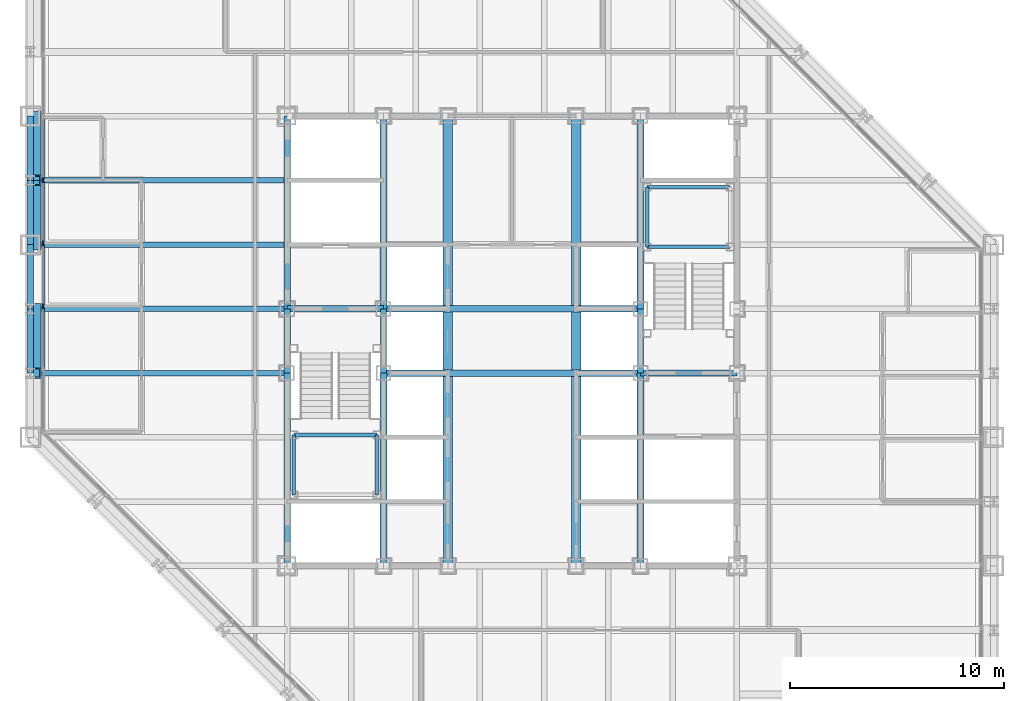
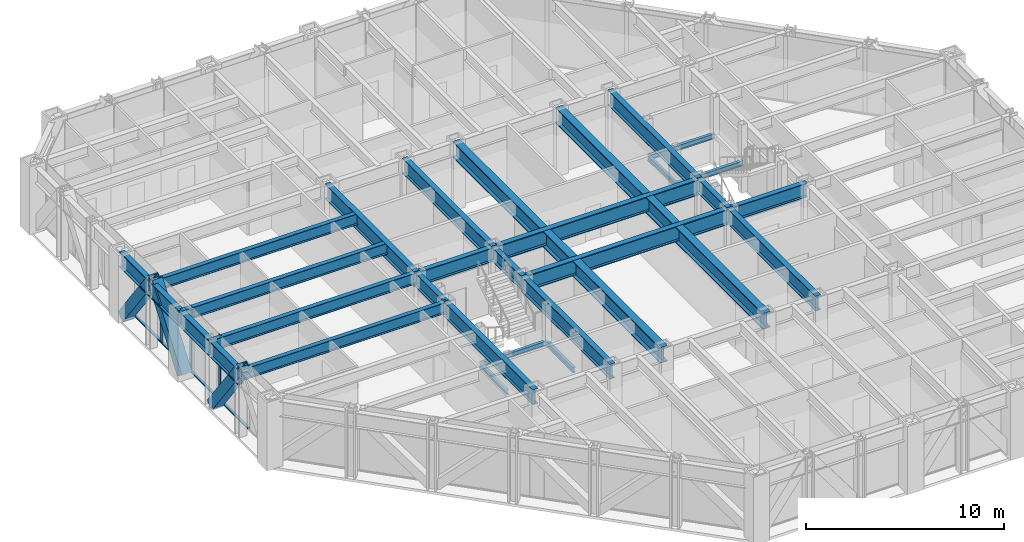
# One storey, part 5 of 16: 33 beams, 10 members, 1 element without a shape of its own.
"""IFC4 building model written with IfcOpenShell, lengths in metres."""

from ifc_helpers import new_model, si_unit, direction, frame, origin, origin_2d, place, context, subcontext, project, spatial, rectangle, hollow_rectangle, i_section, extrude, material, layer, layer_set, material_profile, profile_set, type_object, element, aggregate, save


model = new_model("IFC4")

# Units and contexts
model_context = context("Model", 3, precision=1e-05, world=origin(), true_north=direction((0.0, 1.0)))
body_context = subcontext(model_context, "Body", "Model", "MODEL_VIEW")
ifc_project = project(units=[si_unit("LENGTHUNIT", "METRE"), si_unit("AREAUNIT", "SQUARE_METRE"), si_unit("VOLUMEUNIT", "CUBIC_METRE"), si_unit("PLANEANGLEUNIT", "RADIAN"), si_unit("MASSUNIT", "GRAM", prefix="KILO")], contexts=[model_context])

# Site, building, storey
site_placement = place(None, origin())
site = spatial("IfcSite", under=ifc_project, at=site_placement, CompositionType="ELEMENT")
building_placement = place(site_placement, origin())
building = spatial("IfcBuilding", under=site, at=building_placement, Name="Chuquiago Exchange Tower", CompositionType="ELEMENT")
storey_placement = place(building_placement, frame((0.0, 0.0, 115.199951171875)))
storey = spatial("IfcBuildingStorey", under=building, at=storey_placement, Name="L24", CompositionType="ELEMENT", Elevation=115.199951171875)

# Beams
ifc_material_1 = material(Name="Steel ASTM A992", Category="steel")
ifc_material_profile_1 = material_profile(ifc_material_1, i_section(OverallWidth=0.25390625, OverallDepth=0.683349609375, WebThickness=0.012451171875, FlangeThickness=0.018798828125, at=origin_2d()), Name="W27X94")
ifc_profile_set_1 = profile_set([ifc_material_profile_1], Name="Steel ASTM A992")
beam_type_1 = type_object("IfcBeamType", Name="B1 W27X94", PredefinedType="BEAM", material=ifc_profile_set_1)
for number, where, z_axis, x_axis, name in (
    (1, (12.0, 21.0, 3.698486328125), (-1.0, 0.0, 0.0), (0.0, -1.0, 0.0), "FB-L25-infill-12_21--0_21-0"),
    (2, (12.0, 24.0, 3.698486328125), (-1.0, 0.0, 0.0), (0.0, -1.0, 0.0), "FB-L25-infill-12_24--0_24-0"),
    (3, (12.0, 27.0, 3.698486328125), (-1.0, 0.0, 0.0), (0.0, -1.0, 0.0), "FB-L25-infill-12_27--0_27-0"),
    (4, (12.0, 30.0, 3.698486328125), (-1.0, 0.0, 0.0), (0.0, -1.0, 0.0), "FB-L25-infill-12_30--0_30-0"),
):
    element("IfcBeam", number, at=place(storey_placement, frame(where, z_axis=z_axis, x_axis=x_axis)), inside=storey, type_object=beam_type_1, Name=name, PredefinedType="BEAM", context=body_context, shape_type="SweptSolid", body=[
        extrude(i_section(OverallWidth=0.25390625, OverallDepth=0.683349609375, WebThickness=0.012451171875, FlangeThickness=0.018798828125, at=origin_2d()), origin(), (0.0, 0.0, 1.0), 12.0),
    ])
ifc_material_2 = material(Name="Steel ASTM A992", Category="steel")
ifc_material_profile_2 = material_profile(ifc_material_2, i_section(OverallWidth=0.307373046875, OverallDepth=0.927001953125, WebThickness=0.01953125, FlangeThickness=0.031982421875, at=origin_2d()), Name="W36X194")
ifc_profile_set_2 = profile_set([ifc_material_profile_2], Name="Steel ASTM A992")
beam_type_2 = type_object("IfcBeamType", Name="B10 W36X194", PredefinedType="BEAM", material=ifc_profile_set_2)
for number, where, z_axis, x_axis, name in (
    (5, (12.0, 12.0, 3.57666015625), (0.0, 1.0, 0.0), (-1.0, 0.0, 0.0), "CB-L25-12_12-12_21"),
    (6, (12.0, 24.0, 3.57666015625), (0.0, 1.0, 0.0), (-1.0, 0.0, 0.0), "CB-L25-12_24-12_33"),
    (7, (16.5, 12.0, 3.57666015625), (0.0, 1.0, 0.0), (-1.0, 0.0, 0.0), "CB-L25-16.5_12-16.5_21"),
    (8, (16.5, 24.0, 3.57666015625), (0.0, 1.0, 0.0), (-1.0, 0.0, 0.0), "CB-L25-16.5_24-16.5_33"),
    (9, (28.5, 12.0, 3.57666015625), (0.0, 1.0, 0.0), (-1.0, 0.0, 0.0), "CB-L25-28.5_12-28.5_21"),
    (10, (28.5, 24.0, 3.57666015625), (0.0, 1.0, 0.0), (-1.0, 0.0, 0.0), "CB-L25-28.5_24-28.5_33"),
):
    element("IfcBeam", number, at=place(storey_placement, frame(where, z_axis=z_axis, x_axis=x_axis)), inside=storey, type_object=beam_type_2, Name=name, PredefinedType="BEAM", context=body_context, shape_type="SweptSolid", body=[
        extrude(i_section(OverallWidth=0.307373046875, OverallDepth=0.927001953125, WebThickness=0.01953125, FlangeThickness=0.031982421875, at=origin_2d()), origin(), (0.0, 0.0, 1.0), 9.0),
    ])
ifc_material_3 = material(Name="Steel ASTM A992", Category="steel")
ifc_material_profile_3 = material_profile(ifc_material_3, i_section(OverallWidth=0.309814453125, OverallDepth=0.949951171875, WebThickness=0.0244140625, FlangeThickness=0.0439453125, at=origin_2d()), Name="W36X256")
ifc_profile_set_3 = profile_set([ifc_material_profile_3], Name="Steel ASTM A992")
beam_type_3 = type_object("IfcBeamType", Name="B11 W36X256", PredefinedType="BEAM", material=ifc_profile_set_3)
for number, where, z_axis, x_axis, name in (
    (11, (16.5, 21.0, 3.56494140625), (1.0, 0.0, 0.0), (0.0, 1.0, 0.0), "CB-L25-16.5_21-28.5_21"),
    (12, (16.5, 24.0, 3.56494140625), (1.0, 0.0, 0.0), (0.0, 1.0, 0.0), "CB-L25-16.5_24-28.5_24"),
):
    element("IfcBeam", number, at=place(storey_placement, frame(where, z_axis=z_axis, x_axis=x_axis)), inside=storey, type_object=beam_type_3, Name=name, PredefinedType="BEAM", context=body_context, shape_type="SweptSolid", body=[
        extrude(i_section(OverallWidth=0.309814453125, OverallDepth=0.949951171875, WebThickness=0.0244140625, FlangeThickness=0.0439453125, at=origin_2d()), origin(), (0.0, 0.0, 1.0), 12.0),
    ])
ifc_material_4 = material(Name="Steel ASTM A992", Category="steel")
ifc_material_profile_4 = material_profile(ifc_material_4, i_section(OverallWidth=0.4267578125, OverallDepth=0.975341796875, WebThickness=0.031005859375, FlangeThickness=0.055908203125, at=origin_2d()), Name="W36X395")
ifc_profile_set_4 = profile_set([ifc_material_profile_4], Name="Steel ASTM A992")
beam_type_4 = type_object("IfcBeamType", Name="B12 W36X395", PredefinedType="BEAM", material=ifc_profile_set_4)
beam_1_placement = place(storey_placement, frame((19.5, 12.0, 3.55224609375), z_axis=(0.0, 1.0, 0.0), x_axis=(-1.0, 0.0, 0.0)))
element("IfcBeam", 13, at=beam_1_placement, inside=storey, type_object=beam_type_4, Name="CB-L25-19.5_12-19.5_20.8451", PredefinedType="BEAM", context=body_context, shape_type="SweptSolid", body=[
    extrude(i_section(OverallWidth=0.4267578125, OverallDepth=0.975341796875, WebThickness=0.031005859375, FlangeThickness=0.055908203125, at=origin_2d()), origin(), (0.0, 0.0, 1.0), 8.84521484375),
])
beam_2_placement = place(storey_placement, frame((19.5, 21.15478515625, 3.55224609375), z_axis=(0.0, 1.0, 0.0), x_axis=(-1.0, 0.0, 0.0)))
element("IfcBeam", 14, at=beam_2_placement, inside=storey, type_object=beam_type_4, Name="CB-L25-19.5_21.1549-19.5_23.8451", PredefinedType="BEAM", context=body_context, shape_type="SweptSolid", body=[
    extrude(i_section(OverallWidth=0.4267578125, OverallDepth=0.975341796875, WebThickness=0.031005859375, FlangeThickness=0.055908203125, at=origin_2d()), origin(), (0.0, 0.0, 1.0), 2.6904296875),
])
for number, where, z_axis, x_axis, name in (
    (15, (19.5, 24.15478515625, 3.55224609375), (0.0, 1.0, 0.0), (-1.0, 0.0, 0.0), "CB-L25-19.5_24.1549-19.5_33"),
    (16, (25.5, 12.0, 3.55224609375), (0.0, 1.0, 0.0), (-1.0, 0.0, 0.0), "CB-L25-25.5_12-25.5_20.8451"),
):
    element("IfcBeam", number, at=place(storey_placement, frame(where, z_axis=z_axis, x_axis=x_axis)), inside=storey, type_object=beam_type_4, Name=name, PredefinedType="BEAM", context=body_context, shape_type="SweptSolid", body=[
        extrude(i_section(OverallWidth=0.4267578125, OverallDepth=0.975341796875, WebThickness=0.031005859375, FlangeThickness=0.055908203125, at=origin_2d()), origin(), (0.0, 0.0, 1.0), 8.84521484375),
    ])
beam_3_placement = place(storey_placement, frame((25.5, 21.15478515625, 3.55224609375), z_axis=(0.0, 1.0, 0.0), x_axis=(-1.0, 0.0, 0.0)))
element("IfcBeam", 17, at=beam_3_placement, inside=storey, type_object=beam_type_4, Name="CB-L25-25.5_21.1549-25.5_23.8451", PredefinedType="BEAM", context=body_context, shape_type="SweptSolid", body=[
    extrude(i_section(OverallWidth=0.4267578125, OverallDepth=0.975341796875, WebThickness=0.031005859375, FlangeThickness=0.055908203125, at=origin_2d()), origin(), (0.0, 0.0, 1.0), 2.6904296875),
])
beam_4_placement = place(storey_placement, frame((25.5, 24.15478515625, 3.55224609375), z_axis=(0.0, 1.0, 0.0), x_axis=(-1.0, 0.0, 0.0)))
element("IfcBeam", 18, at=beam_4_placement, inside=storey, type_object=beam_type_4, Name="CB-L25-25.5_24.1549-25.5_33", PredefinedType="BEAM", context=body_context, shape_type="SweptSolid", body=[
    extrude(i_section(OverallWidth=0.4267578125, OverallDepth=0.975341796875, WebThickness=0.031005859375, FlangeThickness=0.055908203125, at=origin_2d()), origin(), (0.0, 0.0, 1.0), 8.84521484375),
])
ifc_material_5 = material(Name="Steel ASTM A992", Category="steel")
ifc_material_profile_5 = material_profile(ifc_material_5, i_section(OverallWidth=0.2919921875, OverallDepth=0.8583984375, WebThickness=0.01708984375, FlangeThickness=0.031005859375, at=origin_2d()), Name="W33X169")
ifc_profile_set_5 = profile_set([ifc_material_profile_5], Name="Steel ASTM A992")
beam_type_5 = type_object("IfcBeamType", Name="B3 W33X169", PredefinedType="BEAM", material=ifc_profile_set_5)
for number, where, z_axis, x_axis, name in (
    (19, (12.0, 21.0, 3.61083984375), (0.0, 1.0, 0.0), (-1.0, 0.0, 0.0), "CB-L25-12_21-12_24"),
    (20, (16.5, 21.0, 3.61083984375), (0.0, 1.0, 0.0), (-1.0, 0.0, 0.0), "CB-L25-16.5_21-16.5_24"),
    (21, (28.5, 21.0, 3.61083984375), (0.0, 1.0, 0.0), (-1.0, 0.0, 0.0), "CB-L25-28.5_21-28.5_24"),
):
    element("IfcBeam", number, at=place(storey_placement, frame(where, z_axis=z_axis, x_axis=x_axis)), inside=storey, type_object=beam_type_5, Name=name, PredefinedType="BEAM", context=body_context, shape_type="SweptSolid", body=[
        extrude(i_section(OverallWidth=0.2919921875, OverallDepth=0.8583984375, WebThickness=0.01708984375, FlangeThickness=0.031005859375, at=origin_2d()), origin(), (0.0, 0.0, 1.0), 3.0),
    ])
for number, where, z_axis, x_axis, name in (
    (22, (28.5, 21.0, 3.61083984375), (1.0, 0.0, 0.0), (0.0, 1.0, 0.0), "CB-L25-28.5_21-33_21"),
    (23, (12.0, 24.0, 3.61083984375), (1.0, 0.0, 0.0), (0.0, 1.0, 0.0), "CB-L25-12_24-16.5_24"),
):
    element("IfcBeam", number, at=place(storey_placement, frame(where, z_axis=z_axis, x_axis=x_axis)), inside=storey, type_object=beam_type_5, Name=name, PredefinedType="BEAM", context=body_context, shape_type="SweptSolid", body=[
        extrude(i_section(OverallWidth=0.2919921875, OverallDepth=0.8583984375, WebThickness=0.01708984375, FlangeThickness=0.031005859375, at=origin_2d()), origin(), (0.0, 0.0, 1.0), 4.5),
    ])

# Curtain wall, members
ifc_material_6 = material(Name="Aluminium curtain wall system", Category="aluminium")
ifc_layer = layer(ifc_material_6, 0.22509765625)
ifc_layer_set = layer_set([ifc_layer], Name="CW2 office curtain wall")
curtain_wall_type = type_object("IfcCurtainWallType", Name="CW2 office curtain wall", PredefinedType="NOTDEFINED", material=ifc_layer_set)
curtain_wall_placement = place(storey_placement, origin())
curtain_wall = element("IfcCurtainWall", 24, at=curtain_wall_placement, inside=storey, type_object=curtain_wall_type, Name="CW2 curtain wall L24", PredefinedType="NOTDEFINED")
ifc_material_7 = material(Name="Aluminium mullion, pale anodised", Category="aluminium")
ifc_material_profile_6 = material_profile(ifc_material_7, rectangle(XDim=0.06494140625, YDim=0.22509765625, at=origin_2d()), Name="AL 65x225")
ifc_profile_set_6 = profile_set([ifc_material_profile_6], Name="Aluminium mullion, pale anodised")
member_type_1 = type_object("IfcMemberType", Name="CW2-M mullion 65x225", PredefinedType="MULLION", material=ifc_profile_set_6)
member_1_placement = place(storey_placement, frame((0.60009765625, 30.0, 0.0), z_axis=(0.0, 0.0, 1.0), x_axis=(1.0, 0.0, 0.0)))
member_1 = element("IfcMember", 25, at=member_1_placement, type_object=member_type_1, Name="CW2 mullion 5", PredefinedType="MULLION", context=body_context, shape_type="SweptSolid", body=[
    extrude(rectangle(XDim=0.06494140625, YDim=0.22509765625, at=origin_2d()), origin(), (0.0, 0.0, 1.0), 4.0400390625),
])
member_2_placement = place(storey_placement, frame((0.60009765625, 27.06201171875, 0.0), z_axis=(0.0, 0.0, 1.0), x_axis=(1.0, 0.0, 0.0)))
member_2 = element("IfcMember", 26, at=member_2_placement, type_object=member_type_1, Name="CW2 mullion 6", PredefinedType="MULLION", context=body_context, shape_type="SweptSolid", body=[
    extrude(rectangle(XDim=0.06494140625, YDim=0.22509765625, at=origin_2d()), origin(), (0.0, 0.0, 1.0), 4.0400390625),
])
member_3_placement = place(storey_placement, frame((0.60009765625, 24.124267578125, 0.0), z_axis=(0.0, 0.0, 1.0), x_axis=(1.0, 0.0, 0.0)))
member_3 = element("IfcMember", 27, at=member_3_placement, type_object=member_type_1, Name="CW2 mullion 7", PredefinedType="MULLION", context=body_context, shape_type="SweptSolid", body=[
    extrude(rectangle(XDim=0.06494140625, YDim=0.22509765625, at=origin_2d()), origin(), (0.0, 0.0, 1.0), 4.0400390625),
])
ifc_material_8 = material(Name="Aluminium transom, pale anodised", Category="aluminium")
ifc_material_profile_7 = material_profile(ifc_material_8, rectangle(XDim=0.139892578125, YDim=0.06494140625, at=origin_2d()), Name="AL 140x65")
ifc_profile_set_7 = profile_set([ifc_material_profile_7], Name="Aluminium transom, pale anodised")
member_type_2 = type_object("IfcMemberType", Name="CW2-T transom 65x140", PredefinedType="MULLION", material=ifc_profile_set_7)
member_4_placement = place(storey_placement, frame((0.60009765625, 32.9052734375, 0.032470703125), z_axis=(0.0, -1.0, 0.0), x_axis=(1.0, 0.0, 0.0)))
member_4 = element("IfcMember", 28, at=member_4_placement, type_object=member_type_2, Name="CW2 transom 4.1", PredefinedType="MULLION", context=body_context, shape_type="SweptSolid", body=[
    extrude(rectangle(XDim=0.139892578125, YDim=0.06494140625, at=origin_2d()), origin(), (0.0, 0.0, 1.0), 2.872802734375),
])
member_5_placement = place(storey_placement, frame((0.60009765625, 29.967529296875, 0.032470703125), z_axis=(0.0, -1.0, 0.0), x_axis=(1.0, 0.0, 0.0)))
member_5 = element("IfcMember", 29, at=member_5_placement, type_object=member_type_2, Name="CW2 transom 5.1", PredefinedType="MULLION", context=body_context, shape_type="SweptSolid", body=[
    extrude(rectangle(XDim=0.139892578125, YDim=0.06494140625, at=origin_2d()), origin(), (0.0, 0.0, 1.0), 2.872802734375),
])
member_6_placement = place(storey_placement, frame((0.60009765625, 27.029541015625, 0.032470703125), z_axis=(0.0, -1.0, 0.0), x_axis=(1.0, 0.0, 0.0)))
member_6 = element("IfcMember", 30, at=member_6_placement, type_object=member_type_2, Name="CW2 transom 6.1", PredefinedType="MULLION", context=body_context, shape_type="SweptSolid", body=[
    extrude(rectangle(XDim=0.139892578125, YDim=0.06494140625, at=origin_2d()), origin(), (0.0, 0.0, 1.0), 2.872802734375),
])
member_7_placement = place(storey_placement, frame((0.60009765625, 24.091796875, 0.032470703125), z_axis=(0.0, -1.0, 0.0), x_axis=(1.0, 0.0, 0.0)))
member_7 = element("IfcMember", 31, at=member_7_placement, type_object=member_type_2, Name="CW2 transom 7.1", PredefinedType="MULLION", context=body_context, shape_type="SweptSolid", body=[
    extrude(rectangle(XDim=0.139892578125, YDim=0.06494140625, at=origin_2d()), origin(), (0.0, 0.0, 1.0), 2.872802734375),
])
aggregate(curtain_wall, [member_1, member_2, member_3, member_4, member_5, member_6, member_7])

# Beams
ifc_material_9 = material(Name="Steel ASTM A992", Category="steel")
ifc_material_profile_8 = material_profile(ifc_material_9, i_section(OverallWidth=0.164794921875, OverallDepth=0.309814453125, WebThickness=0.005859375, FlangeThickness=0.009765625, at=origin_2d()), Name="W12X26")
ifc_profile_set_8 = profile_set([ifc_material_profile_8], Name="Steel ASTM A992")
beam_type_6 = type_object("IfcBeamType", Name="LS1 W12X26", PredefinedType="BEAM", material=ifc_profile_set_8)
for number, where, z_axis, x_axis, name in (
    (32, (12.31005859375, 15.31005859375, 1.7451171875), (0.0, 1.0, 0.0), (-1.0, 0.0, 0.0), "Stair ST1 L24 landing 1 stringer"),
    (33, (16.18994140625, 15.31005859375, 1.7451171875), (0.0, 1.0, 0.0), (-1.0, 0.0, 0.0), "Stair ST1 L24 landing 1 stringer"),
    (34, (28.81005859375, 26.889892578125, 1.7451171875), (0.0, 1.0, 0.0), (-1.0, 0.0, 0.0), "Stair ST2 L24 landing 1 stringer"),
):
    element("IfcBeam", number, at=place(storey_placement, frame(where, z_axis=z_axis, x_axis=x_axis)), inside=storey, type_object=beam_type_6, Name=name, PredefinedType="BEAM", context=body_context, shape_type="SweptSolid", body=[
        extrude(i_section(OverallWidth=0.164794921875, OverallDepth=0.309814453125, WebThickness=0.005859375, FlangeThickness=0.009765625, at=origin_2d()), origin(), (0.0, 0.0, 1.0), 2.800048828125),
    ])
ifc_material_10 = material(Name="Steel ASTM A992", Category="steel")
ifc_material_profile_9 = material_profile(ifc_material_10, i_section(OverallWidth=0.164794921875, OverallDepth=0.309814453125, WebThickness=0.005859375, FlangeThickness=0.009765625, at=origin_2d()), Name="W12X26")
ifc_profile_set_9 = profile_set([ifc_material_profile_9], Name="Steel ASTM A992")
beam_type_7 = type_object("IfcBeamType", Name="LT1 W12X26", PredefinedType="BEAM", material=ifc_profile_set_9)
for number, where, z_axis, x_axis, name in (
    (35, (12.31005859375, 18.110107421875, 1.7451171875), (1.0, 0.0, 0.0), (0.0, 1.0, 0.0), "Stair ST1 L24 landing 1 trimmer"),
    (36, (28.81005859375, 29.68994140625, 1.7451171875), (1.0, 0.0, 0.0), (0.0, 1.0, 0.0), "Stair ST2 L24 landing 1 trimmer"),
    (37, (28.81005859375, 26.889892578125, 1.7451171875), (1.0, 0.0, 0.0), (0.0, 1.0, 0.0), "Stair ST2 L24 landing 1 trimmer"),
):
    element("IfcBeam", number, at=place(storey_placement, frame(where, z_axis=z_axis, x_axis=x_axis)), inside=storey, type_object=beam_type_7, Name=name, PredefinedType="BEAM", context=body_context, shape_type="SweptSolid", body=[
        extrude(i_section(OverallWidth=0.164794921875, OverallDepth=0.309814453125, WebThickness=0.005859375, FlangeThickness=0.009765625, at=origin_2d()), origin(), (0.0, 0.0, 1.0), 3.8798828125),
    ])

# Members
ifc_material_11 = material(Name="Steel ASTM A572 Grade 50", Category="steel")
ifc_material_profile_10 = material_profile(ifc_material_11, hollow_rectangle(XDim=0.60009765625, YDim=0.60009765625, WallThickness=0.06005859375, at=origin_2d()), Name="BOX600X600X60")
ifc_profile_set_10 = profile_set([ifc_material_profile_10], Name="Steel ASTM A572 Grade 50")
member_type_3 = type_object("IfcMemberType", Name="MB2 BOX600X600X60", PredefinedType="BRACE", material=ifc_profile_set_10)
for number, where, z_axis, x_axis, name in (
    (38, (0.205078125, 33.0, 0.0), (0.0, -0.596173923302, 0.802855312728), (1.0, 0.0, 0.0), "Mega diagonal L24 W face"),
    (39, (0.205078125, 27.0, 0.0), (0.0, 0.596173923302, 0.802855312728), (-1.0, 0.0, 0.0), "Mega diagonal L24 W face"),
    (40, (0.205078125, 24.0, 0.0), (0.0, -0.596173923302, 0.802855312728), (1.0, 0.0, 0.0), "Mega diagonal L24 W face"),
):
    element("IfcMember", number, at=place(storey_placement, frame(where, z_axis=z_axis, x_axis=x_axis)), inside=storey, type_object=member_type_3, Name=name, PredefinedType="BRACE", context=body_context, shape_type="SweptSolid", body=[
        extrude(hollow_rectangle(XDim=0.60009765625, YDim=0.60009765625, WallThickness=0.06005859375, at=origin_2d()), origin(), (0.0, 0.0, 1.0), 5.031982421875),
    ])

# Beams
ifc_material_12 = material(Name="Steel ASTM A992", Category="steel")
ifc_material_profile_11 = material_profile(ifc_material_12, i_section(OverallWidth=0.309814453125, OverallDepth=0.949951171875, WebThickness=0.0244140625, FlangeThickness=0.0439453125, at=origin_2d()), Name="W36X256")
ifc_profile_set_11 = profile_set([ifc_material_profile_11], Name="Steel ASTM A992")
beam_type_8 = type_object("IfcBeamType", Name="SP2 W36X256", PredefinedType="SPANDREL", material=ifc_profile_set_11)
for number, where, z_axis, x_axis, name in (
    (41, (0.0, 33.0, 3.56494140625), (0.0, -1.0, 0.0), (1.0, 0.0, 0.0), "SPB-L25-0_33-0_30"),
    (42, (0.0, 30.0, 3.56494140625), (0.0, -1.0, 0.0), (1.0, 0.0, 0.0), "SPB-L25-0_30-0_27"),
    (43, (0.0, 27.0, 3.56494140625), (0.0, -1.0, 0.0), (1.0, 0.0, 0.0), "SPB-L25-0_27-0_24"),
    (44, (0.0, 24.0, 3.56494140625), (0.0, -1.0, 0.0), (1.0, 0.0, 0.0), "SPB-L25-0_24-0_21"),
):
    element("IfcBeam", number, at=place(storey_placement, frame(where, z_axis=z_axis, x_axis=x_axis)), inside=storey, type_object=beam_type_8, Name=name, PredefinedType="SPANDREL", context=body_context, shape_type="SweptSolid", body=[
        extrude(i_section(OverallWidth=0.309814453125, OverallDepth=0.949951171875, WebThickness=0.0244140625, FlangeThickness=0.0439453125, at=origin_2d()), origin(), (0.0, 0.0, 1.0), 3.0),
    ])

save(model, "model.ifc")
